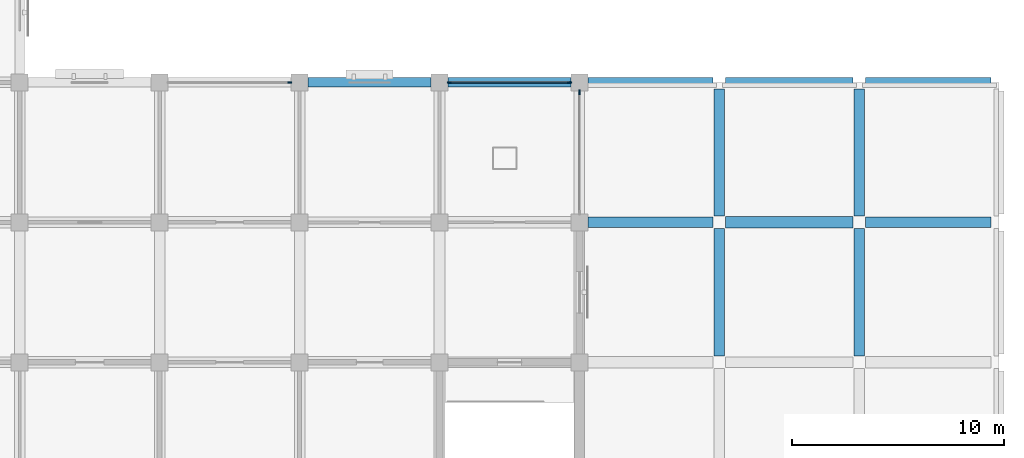
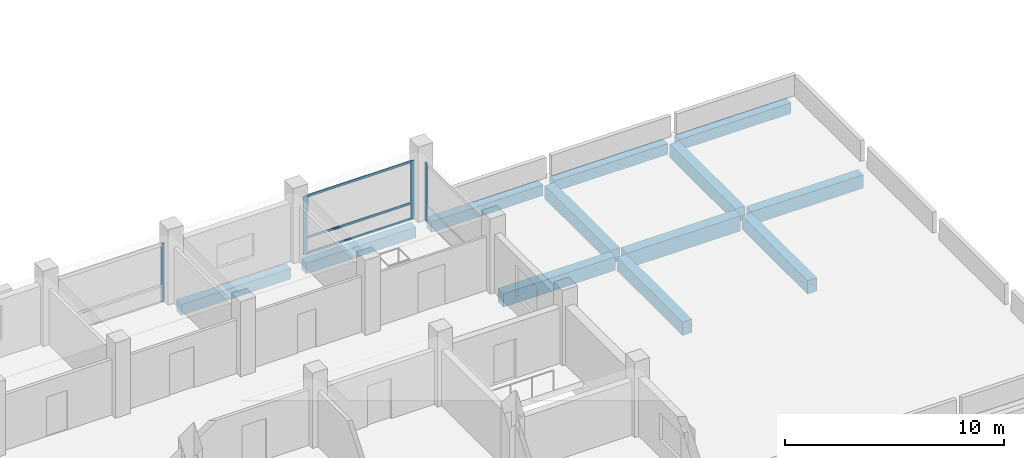
# One storey, part 8 of 30: 12 beams, 7 members, 3 elements without a shape of their own.
"""IFC4 building model written with IfcOpenShell, lengths in metres."""

from ifc_helpers import new_model, si_unit, direction, frame, origin, origin_2d, place, context, subcontext, project, spatial, rectangle, extrude, material, material_profile, profile_set, type_object, element, aggregate, save


model = new_model("IFC4")

# Units and contexts
model_context = context("Model", 3, precision=1e-05, world=origin(), true_north=direction((0.0, 1.0)))
body_context = subcontext(model_context, "Body", "Model", "MODEL_VIEW")
ifc_project = project(units=[si_unit("LENGTHUNIT", "METRE"), si_unit("AREAUNIT", "SQUARE_METRE"), si_unit("VOLUMEUNIT", "CUBIC_METRE"), si_unit("PLANEANGLEUNIT", "RADIAN"), si_unit("MASSUNIT", "GRAM", prefix="KILO")], contexts=[model_context])

# Site, building, storey
site_placement = place(None, origin())
site = spatial("IfcSite", under=ifc_project, at=site_placement, CompositionType="ELEMENT")
building_placement = place(site_placement, origin())
building = spatial("IfcBuilding", under=site, at=building_placement, Name="Rusizi Kubbe Research Institute", CompositionType="ELEMENT")
storey_placement = place(building_placement, frame((0.0, 0.0, 10.199951171875)))
storey = spatial("IfcBuildingStorey", under=building, at=storey_placement, Name="L02", CompositionType="ELEMENT", Elevation=10.199951171875)

# Beams
ifc_material_1 = material(Name="Concrete C40/50", Category="concrete")
ifc_material_profile_1 = material_profile(ifc_material_1, rectangle(XDim=0.449951171875, YDim=0.60009765625, at=origin_2d()), Name="RC450x600")
ifc_profile_set_1 = profile_set([ifc_material_profile_1], Name="Concrete C40/50")
beam_type_1 = type_object("IfcBeamType", Name="BM-RC450x600", PredefinedType="SPANDREL", material=ifc_profile_set_1)
for number, where, z_axis, x_axis, name in (
    (1, (66.39990234375, 26.39990234375, -0.64990234375), (1.0, 0.0, 0.0), (0.0, 1.0, 0.0), "Grid Beam H L02 (10,4)"),
    (2, (73.0, 26.39990234375, -0.64990234375), (1.0, 0.0, 0.0), (0.0, 1.0, 0.0), "Grid Beam H L02 (11,4)"),
):
    element("IfcBeam", number, at=place(storey_placement, frame(where, z_axis=z_axis, x_axis=x_axis)), inside=storey, type_object=beam_type_1, Name=name, PredefinedType="SPANDREL", context=body_context, shape_type="SweptSolid", body=[
        extrude(rectangle(XDim=0.449951171875, YDim=0.60009765625, at=origin_2d()), origin(), (0.0, 0.0, 1.0), 5.800048828125),
    ])
beam_1_placement = place(storey_placement, frame((79.60009765625, 26.39990234375, -0.64990234375), z_axis=(1.0, 0.0, 0.0), x_axis=(0.0, 1.0, 0.0)))
element("IfcBeam", 3, at=beam_1_placement, inside=storey, type_object=beam_type_1, Name="Grid Beam H L02 (12,4)", PredefinedType="SPANDREL", context=body_context, shape_type="SweptSolid", body=[
    extrude(rectangle(XDim=0.449951171875, YDim=0.60009765625, at=origin_2d()), origin(), (0.0, 0.0, 1.0), 5.89990234375),
])
beam_2_placement = place(storey_placement, frame((86.10009765625, 26.39990234375, -0.64990234375), z_axis=(1.0, 0.0, 0.0), x_axis=(0.0, 1.0, 0.0)))
element("IfcBeam", 4, at=beam_2_placement, inside=storey, type_object=beam_type_1, Name="Grid Beam H L02 (13,4)", PredefinedType="SPANDREL", context=body_context, shape_type="SweptSolid", body=[
    extrude(rectangle(XDim=0.449951171875, YDim=0.60009765625, at=origin_2d()), origin(), (0.0, 0.0, 1.0), 6.0),
])
beam_3_placement = place(storey_placement, frame((92.699951171875, 26.39990234375, -0.64990234375), z_axis=(1.0, 0.0, 0.0), x_axis=(0.0, 1.0, 0.0)))
element("IfcBeam", 5, at=beam_3_placement, inside=storey, type_object=beam_type_1, Name="Grid Beam H L02 (14,4)", PredefinedType="SPANDREL", context=body_context, shape_type="SweptSolid", body=[
    extrude(rectangle(XDim=0.449951171875, YDim=0.60009765625, at=origin_2d()), origin(), (0.0, 0.0, 1.0), 5.900146484375),
])
ifc_material_2 = material(Name="Concrete C45/55", Category="concrete")
ifc_material_profile_2 = material_profile(ifc_material_2, rectangle(XDim=0.5, YDim=0.75, at=origin_2d()), Name="RC500x750B")
ifc_profile_set_2 = profile_set([ifc_material_profile_2], Name="Concrete C45/55")
beam_type_2 = type_object("IfcBeamType", Name="BM-RC500x750", PredefinedType="BEAM", material=ifc_profile_set_2)
beam_4_placement = place(storey_placement, frame((79.60009765625, 19.800048828125, -0.724853515625), z_axis=(1.0, 0.0, 0.0), x_axis=(0.0, 1.0, 0.0)))
element("IfcBeam", 6, at=beam_4_placement, inside=storey, type_object=beam_type_2, Name="Grid Beam H L02 (12,3)", PredefinedType="BEAM", context=body_context, shape_type="SweptSolid", body=[
    extrude(rectangle(XDim=0.5, YDim=0.75, at=origin_2d()), origin(), (0.0, 0.0, 1.0), 5.89990234375),
])
beam_5_placement = place(storey_placement, frame((92.699951171875, 19.800048828125, -0.724853515625), z_axis=(1.0, 0.0, 0.0), x_axis=(0.0, 1.0, 0.0)))
element("IfcBeam", 7, at=beam_5_placement, inside=storey, type_object=beam_type_2, Name="Grid Beam H L02 (14,3)", PredefinedType="BEAM", context=body_context, shape_type="SweptSolid", body=[
    extrude(rectangle(XDim=0.5, YDim=0.75, at=origin_2d()), origin(), (0.0, 0.0, 1.0), 5.900146484375),
])
for number, where, z_axis, x_axis, name in (
    (8, (85.800048828125, 13.5, -0.724853515625), (0.0, 1.0, 0.0), (-1.0, 0.0, 0.0), "Grid Beam V L02 (13,2)"),
    (9, (85.800048828125, 20.10009765625, -0.724853515625), (0.0, 1.0, 0.0), (-1.0, 0.0, 0.0), "Grid Beam V L02 (13,3)"),
    (10, (92.39990234375, 13.5, -0.724853515625), (0.0, 1.0, 0.0), (-1.0, 0.0, 0.0), "Grid Beam V L02 (14,2)"),
    (11, (92.39990234375, 20.10009765625, -0.724853515625), (0.0, 1.0, 0.0), (-1.0, 0.0, 0.0), "Grid Beam V L02 (14,3)"),
):
    element("IfcBeam", number, at=place(storey_placement, frame(where, z_axis=z_axis, x_axis=x_axis)), inside=storey, type_object=beam_type_2, Name=name, PredefinedType="BEAM", context=body_context, shape_type="SweptSolid", body=[
        extrude(rectangle(XDim=0.5, YDim=0.75, at=origin_2d()), origin(), (0.0, 0.0, 1.0), 6.0),
    ])
ifc_material_3 = material(Name="Concrete C45/55", Category="concrete")
ifc_material_profile_3 = material_profile(ifc_material_3, rectangle(XDim=0.550048828125, YDim=0.85009765625, at=origin_2d()), Name="RC550x850")
ifc_profile_set_3 = profile_set([ifc_material_profile_3], Name="Concrete C45/55")
beam_type_3 = type_object("IfcBeamType", Name="BM-RC550x850", PredefinedType="BEAM", material=ifc_profile_set_3)
beam_6_placement = place(storey_placement, frame((86.10009765625, 19.800048828125, -0.77490234375), z_axis=(1.0, 0.0, 0.0), x_axis=(0.0, 1.0, 0.0)))
element("IfcBeam", 12, at=beam_6_placement, inside=storey, type_object=beam_type_3, Name="Grid Beam H L02 (13,3)", PredefinedType="BEAM", context=body_context, shape_type="SweptSolid", body=[
    extrude(rectangle(XDim=0.550048828125, YDim=0.85009765625, at=origin_2d()), origin(), (0.0, 0.0, 1.0), 6.0),
])

# Curtain wall, member
ifc_material_4 = material(Name="Thermally Broken Aluminium and Low-E Glazing", Category="aluminium")
curtain_wall_type = type_object("IfcCurtainWallType", Name="CW-05", PredefinedType="NOTDEFINED", material=ifc_material_4)
curtain_wall_1_placement = place(storey_placement, origin())
curtain_wall_1 = element("IfcCurtainWall", 13, at=curtain_wall_1_placement, inside=storey, type_object=curtain_wall_type, Name="Unitised Facade Curtain Wall CW-L02-H-09-04", PredefinedType="NOTDEFINED")
ifc_material_5 = material(Name="Aluminium Alloy 6063-T6", Category="aluminium")
ifc_material_profile_4 = material_profile(ifc_material_5, rectangle(XDim=0.06005859375, YDim=0.179931640625, at=origin_2d()), Name="ALU-M 60x180")
ifc_profile_set_4 = profile_set([ifc_material_profile_4], Name="Aluminium Alloy 6063-T6")
member_type_1 = type_object("IfcMemberType", Name="ML-02", PredefinedType="MULLION", material=ifc_profile_set_4)
member_1_placement = place(storey_placement, frame((65.5400390625, 26.39990234375, 0.0), z_axis=(0.0, 0.0, 1.0), x_axis=(0.0, 1.0, 0.0)))
member_1 = element("IfcMember", 14, at=member_1_placement, type_object=member_type_1, Name="CW-05 mullion 2", PredefinedType="MULLION", context=body_context, shape_type="SweptSolid", body=[
    extrude(rectangle(XDim=0.06005859375, YDim=0.179931640625, at=origin_2d()), origin(), (0.0, 0.0, 1.0), 3.25),
])
aggregate(curtain_wall_1, [member_1])

# Curtain wall, members
curtain_wall_2_placement = place(storey_placement, origin())
curtain_wall_2 = element("IfcCurtainWall", 15, at=curtain_wall_2_placement, inside=storey, type_object=curtain_wall_type, Name="Unitised Facade Curtain Wall CW-L02-H-11-04", PredefinedType="NOTDEFINED")
ifc_material_6 = material(Name="Aluminium Alloy 6063-T6", Category="aluminium")
ifc_material_profile_5 = material_profile(ifc_material_6, rectangle(XDim=0.06494140625, YDim=0.199951171875, at=origin_2d()), Name="ALU-M 65x200")
ifc_profile_set_5 = profile_set([ifc_material_profile_5], Name="Aluminium Alloy 6063-T6")
member_type_2 = type_object("IfcMemberType", Name="ML-03", PredefinedType="MULLION", material=ifc_profile_set_5)
member_2_placement = place(storey_placement, frame((73.0625, 26.39990234375, 0.0), z_axis=(0.0, 0.0, 1.0), x_axis=(0.0, 1.0, 0.0)))
member_2 = element("IfcMember", 16, at=member_2_placement, type_object=member_type_2, Name="CW-05 mullion 1", PredefinedType="MULLION", context=body_context, shape_type="SweptSolid", body=[
    extrude(rectangle(XDim=0.06494140625, YDim=0.199951171875, at=origin_2d()), origin(), (0.0, 0.0, 1.0), 3.25),
])
member_3_placement = place(storey_placement, frame((78.737548828125, 26.39990234375, 0.0), z_axis=(0.0, 0.0, 1.0), x_axis=(0.0, 1.0, 0.0)))
member_3 = element("IfcMember", 17, at=member_3_placement, type_object=member_type_2, Name="CW-05 mullion 2", PredefinedType="MULLION", context=body_context, shape_type="SweptSolid", body=[
    extrude(rectangle(XDim=0.06494140625, YDim=0.199951171875, at=origin_2d()), origin(), (0.0, 0.0, 1.0), 3.25),
])

# Curtain wall, member
curtain_wall_3_placement = place(storey_placement, origin())
curtain_wall_3 = element("IfcCurtainWall", 18, at=curtain_wall_3_placement, inside=storey, type_object=curtain_wall_type, Name="Unitised Facade Curtain Wall CW-L02-V-12-03", PredefinedType="NOTDEFINED")
ifc_material_7 = material(Name="Aluminium Alloy 6063-T6", Category="aluminium")
ifc_material_profile_6 = material_profile(ifc_material_7, rectangle(XDim=0.070068359375, YDim=0.219970703125, at=origin_2d()), Name="ALU-M 70x220")
ifc_profile_set_6 = profile_set([ifc_material_profile_6], Name="Aluminium Alloy 6063-T6")
member_type_3 = type_object("IfcMemberType", Name="ML-04", PredefinedType="MULLION", material=ifc_profile_set_6)
member_4_placement = place(storey_placement, frame((79.199951171875, 25.93505859375, 0.0), z_axis=(0.0, 0.0, 1.0), x_axis=(-1.0, 0.0, 0.0)))
member_4 = element("IfcMember", 19, at=member_4_placement, type_object=member_type_3, Name="CW-05 mullion 2", PredefinedType="MULLION", context=body_context, shape_type="SweptSolid", body=[
    extrude(rectangle(XDim=0.070068359375, YDim=0.219970703125, at=origin_2d()), origin(), (0.0, 0.0, 1.0), 3.25),
])
aggregate(curtain_wall_3, [member_4])

# Member
ifc_material_8 = material(Name="Aluminium Alloy 6063-T6", Category="aluminium")
ifc_material_profile_7 = material_profile(ifc_material_8, rectangle(XDim=0.06005859375, YDim=0.1201171875, at=origin_2d()), Name="ALU-T 60x120")
ifc_profile_set_7 = profile_set([ifc_material_profile_7], Name="Aluminium Alloy 6063-T6")
member_type_4 = type_object("IfcMemberType", Name="TR-01", PredefinedType="USERDEFINED", material=ifc_profile_set_7)
member_5_placement = place(storey_placement, frame((73.094970703125, 26.39990234375, 0.030029296875), z_axis=(1.0, 0.0, 0.0), x_axis=(0.0, 1.0, 0.0)))
member_5 = element("IfcMember", 20, at=member_5_placement, type_object=member_type_4, Name="CW-05 transom 1.1", ObjectType="TRANSOM", PredefinedType="USERDEFINED", context=body_context, shape_type="SweptSolid", body=[
    extrude(rectangle(XDim=0.06005859375, YDim=0.1201171875, at=origin_2d()), origin(), (0.0, 0.0, 1.0), 5.610107421875),
])

member_6_placement = place(storey_placement, frame((73.094970703125, 26.39990234375, 0.900146484375), z_axis=(1.0, 0.0, 0.0), x_axis=(0.0, 1.0, 0.0)))
member_6 = element("IfcMember", 21, at=member_6_placement, type_object=member_type_4, Name="CW-05 transom 1.2", ObjectType="TRANSOM", PredefinedType="USERDEFINED", context=body_context, shape_type="SweptSolid", body=[
    extrude(rectangle(XDim=0.06005859375, YDim=0.1201171875, at=origin_2d()), origin(), (0.0, 0.0, 1.0), 5.610107421875),
])

member_7_placement = place(storey_placement, frame((73.094970703125, 26.39990234375, 3.219970703125), z_axis=(1.0, 0.0, 0.0), x_axis=(0.0, 1.0, 0.0)))
member_7 = element("IfcMember", 22, at=member_7_placement, type_object=member_type_4, Name="CW-05 transom 1.3", ObjectType="TRANSOM", PredefinedType="USERDEFINED", context=body_context, shape_type="SweptSolid", body=[
    extrude(rectangle(XDim=0.06005859375, YDim=0.1201171875, at=origin_2d()), origin(), (0.0, 0.0, 1.0), 5.610107421875),
])

aggregate(curtain_wall_2, [member_2, member_3, member_5, member_6, member_7])

save(model, "model.ifc")
